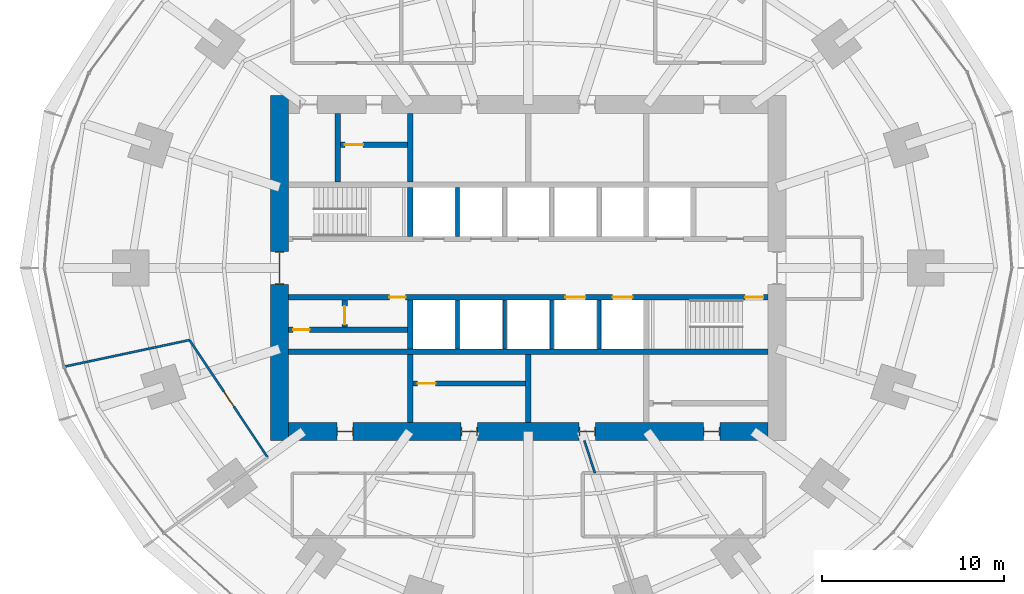
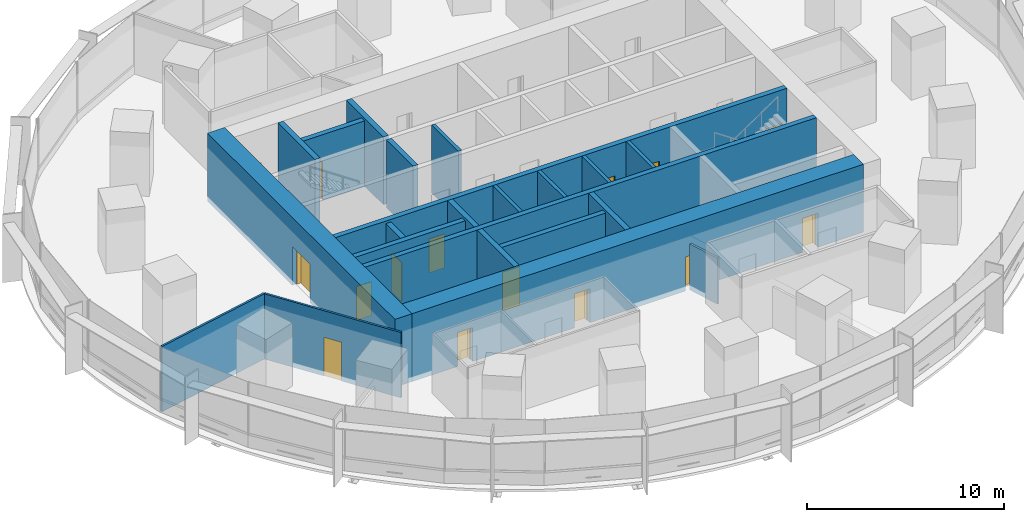
# One storey, part 11 of 15: 22 walls, 14 doors, 14 openings.
"""IFC4 building model written with IfcOpenShell, lengths in metres."""

from ifc_helpers import new_model, si_unit, direction, frame, frame_2d, origin, place, context, subcontext, project, spatial, rectangle, extrude, material, layer, layer_set, type_object, element, fill, save


model = new_model("IFC4")

# Units and contexts
model_context = context("Model", 3, precision=1e-05, world=origin(), true_north=direction((0.0, 1.0)))
body_context = subcontext(model_context, "Body", "Model", "MODEL_VIEW")
ifc_project = project(units=[si_unit("LENGTHUNIT", "METRE"), si_unit("AREAUNIT", "SQUARE_METRE"), si_unit("VOLUMEUNIT", "CUBIC_METRE"), si_unit("PLANEANGLEUNIT", "RADIAN"), si_unit("MASSUNIT", "GRAM", prefix="KILO")], contexts=[model_context])

# Site, building, storey
site_placement = place(None, origin())
site = spatial("IfcSite", under=ifc_project, at=site_placement, CompositionType="ELEMENT")
building_placement = place(site_placement, origin())
building = spatial("IfcBuilding", under=site, at=building_placement, Name="Marramba Exchange Tower", CompositionType="ELEMENT")
storey_placement = place(building_placement, frame((0.0, 0.0, 28.0)))
storey = spatial("IfcBuildingStorey", under=building, at=storey_placement, Name="L06", CompositionType="ELEMENT", Elevation=28.0)

# Walls
ifc_material_1 = material(Name="Concrete N50", Category="concrete")
ifc_layer_1 = layer(ifc_material_1, 0.199951171875)
ifc_layer_set_1 = layer_set([ifc_layer_1], Name="Core shaft wall 200")
wall_type_1 = type_object("IfcWallType", Name="Core shaft wall 200", PredefinedType="SHEAR", material=ifc_layer_set_1)
for number, where, z_axis, x_axis, name in (
    (1, (-3.89990234375, 1.75, 0.0), (0.0, 0.0, 1.0), (0.0, 1.0, 0.0), "Core wall SHN1 L06"),
    (2, (-3.89990234375, -1.75, 0.0), (0.0, 0.0, 1.0), (0.0, -1.0, 0.0), "Core wall SHS1 L06"),
    (3, (-1.300048828125, -1.75, 0.0), (0.0, 0.0, 1.0), (0.0, -1.0, 0.0), "Core wall SHS2 L06"),
    (4, (1.300048828125, -1.75, 0.0), (0.0, 0.0, 1.0), (0.0, -1.0, 0.0), "Core wall SHS3 L06"),
    (5, (3.89990234375, -1.75, 0.0), (0.0, 0.0, 1.0), (0.0, -1.0, 0.0), "Core wall SHS4 L06"),
):
    element("IfcWall", number, at=place(storey_placement, frame(where, z_axis=z_axis, x_axis=x_axis)), inside=storey, type_object=wall_type_1, Name=name, PredefinedType="SHEAR", context=body_context, shape_type="SweptSolid", body=[
        extrude(rectangle(XDim=2.699951171875, YDim=0.199951171875, at=frame_2d((1.35009765625, 0.0))), origin(), (0.0, 0.0, 1.0), 4.199951171875),
    ])

# Wall, openings, doors
ifc_layer_2 = layer(ifc_material_1, 1.0)
ifc_layer_set_2 = layer_set([ifc_layer_2], Name="Core wall 1000")
wall_type_2 = type_object("IfcWallType", Name="Core wall 1000", PredefinedType="SHEAR", material=ifc_layer_set_2)
wall_1_placement = place(storey_placement, frame((-13.199951171875, -9.0, 0.0), z_axis=(0.0, 0.0, 1.0), x_axis=(1.0, 0.0, 0.0)))
wall_1 = element("IfcWall", 6, at=wall_1_placement, inside=storey, type_object=wall_type_2, Name="Core wall S L06", PredefinedType="SHEAR", context=body_context, shape_type="SweptSolid", body=[
    extrude(rectangle(XDim=26.39990234375, YDim=1.0, at=frame_2d((13.199951171875, 0.0))), origin(), (0.0, 0.0, 1.0), 4.199951171875),
])
opening_1_placement = place(wall_1_placement, frame((2.64990234375, 0.0, 0.0)))
opening_1 = element("IfcOpeningElement", 7, at=opening_1_placement, cuts=wall_1, Name="Opening D5", PredefinedType="OPENING", context=body_context, shape_type="SweptSolid", body=[
    extrude(rectangle(XDim=0.89990234375, YDim=2.10009765625, at=frame_2d((0.449951171875, 1.050048828125))), frame((0.0, 0.510009765625, 0.0), z_axis=(0.0, -1.0, 0.0), x_axis=(1.0, 0.0, 0.0)), (0.0, 0.0, 1.0), 1.02001953125),
])
opening_2_placement = place(wall_1_placement, frame((9.5, 0.0, 0.0)))
opening_2 = element("IfcOpeningElement", 8, at=opening_2_placement, cuts=wall_1, Name="Opening D5", PredefinedType="OPENING", context=body_context, shape_type="SweptSolid", body=[
    extrude(rectangle(XDim=0.89990234375, YDim=2.10009765625, at=frame_2d((0.449951171875, 1.050048828125))), frame((0.0, 0.510009765625, 0.0), z_axis=(0.0, -1.0, 0.0), x_axis=(1.0, 0.0, 0.0)), (0.0, 0.0, 1.0), 1.02001953125),
])
opening_3_placement = place(wall_1_placement, frame((16.0, 0.0, 0.0)))
opening_3 = element("IfcOpeningElement", 9, at=opening_3_placement, cuts=wall_1, Name="Opening D5", PredefinedType="OPENING", context=body_context, shape_type="SweptSolid", body=[
    extrude(rectangle(XDim=0.89990234375, YDim=2.10009765625, at=frame_2d((0.449951171875, 1.050048828125))), frame((0.0, 0.510009765625, 0.0), z_axis=(0.0, -1.0, 0.0), x_axis=(1.0, 0.0, 0.0)), (0.0, 0.0, 1.0), 1.02001953125),
])
opening_4_placement = place(wall_1_placement, frame((22.85009765625, 0.0, 0.0)))
opening_4 = element("IfcOpeningElement", 10, at=opening_4_placement, cuts=wall_1, Name="Opening D5", PredefinedType="OPENING", context=body_context, shape_type="SweptSolid", body=[
    extrude(rectangle(XDim=0.89990234375, YDim=2.10009765625, at=frame_2d((0.449951171875, 1.050048828125))), frame((0.0, 0.510009765625, 0.0), z_axis=(0.0, -1.0, 0.0), x_axis=(1.0, 0.0, 0.0)), (0.0, 0.0, 1.0), 1.02001953125),
])
ifc_material_2 = material(Name="Steel-framed door", Category="steel")
door_type_1 = type_object("IfcDoorType", Name="Service door 900x2100", OperationType="SINGLE_SWING_LEFT", PredefinedType="DOOR", material=ifc_material_2)
door_1_placement = place(opening_1_placement, origin())
door_1 = element("IfcDoor", 11, at=door_1_placement, inside=storey, type_object=door_type_1, Name="D5 ahu L06", OperationType="SINGLE_SWING_LEFT", OverallHeight=2.10009765625, OverallWidth=0.89990234375, PredefinedType="DOOR", context=body_context, shape_type="SweptSolid", body=[
    extrude(rectangle(XDim=0.81982421875, YDim=2.06005859375, at=frame_2d((0.449951171875, 1.030029296875))), frame((0.0, 0.02490234375, 0.0), z_axis=(0.0, -1.0, 0.0), x_axis=(1.0, 0.0, 0.0)), (0.0, 0.0, 1.0), 0.050048828125),
    extrude(rectangle(XDim=0.04, YDim=2.10009765625, at=frame_2d((0.02001953125, 1.050048828125))), frame((0.0, 0.25, 0.0), z_axis=(0.0, -1.0, 0.0), x_axis=(1.0, 0.0, 0.0)), (0.0, 0.0, 1.0), 0.5),
    extrude(rectangle(XDim=0.04, YDim=2.10009765625, at=frame_2d((0.8798828125, 1.050048828125))), frame((0.0, 0.25, 0.0), z_axis=(0.0, -1.0, 0.0), x_axis=(1.0, 0.0, 0.0)), (0.0, 0.0, 1.0), 0.5),
    extrude(rectangle(XDim=0.81982421875, YDim=0.04, at=frame_2d((0.449951171875, 2.080078125))), frame((0.0, 0.25, 0.0), z_axis=(0.0, -1.0, 0.0), x_axis=(1.0, 0.0, 0.0)), (0.0, 0.0, 1.0), 0.5),
])
fill(opening_1, door_1)
door_2_placement = place(opening_2_placement, origin())
door_2 = element("IfcDoor", 12, at=door_2_placement, inside=storey, type_object=door_type_1, Name="D5 store L06", OperationType="SINGLE_SWING_RIGHT", OverallHeight=2.10009765625, OverallWidth=0.89990234375, PredefinedType="DOOR", context=body_context, shape_type="SweptSolid", body=[
    extrude(rectangle(XDim=0.81982421875, YDim=2.06005859375, at=frame_2d((0.449951171875, 1.030029296875))), frame((0.0, 0.02490234375, 0.0), z_axis=(0.0, -1.0, 0.0), x_axis=(1.0, 0.0, 0.0)), (0.0, 0.0, 1.0), 0.050048828125),
    extrude(rectangle(XDim=0.04, YDim=2.10009765625, at=frame_2d((0.02001953125, 1.050048828125))), frame((0.0, 0.25, 0.0), z_axis=(0.0, -1.0, 0.0), x_axis=(1.0, 0.0, 0.0)), (0.0, 0.0, 1.0), 0.5),
    extrude(rectangle(XDim=0.04, YDim=2.10009765625, at=frame_2d((0.8798828125, 1.050048828125))), frame((0.0, 0.25, 0.0), z_axis=(0.0, -1.0, 0.0), x_axis=(1.0, 0.0, 0.0)), (0.0, 0.0, 1.0), 0.5),
    extrude(rectangle(XDim=0.81982421875, YDim=0.04, at=frame_2d((0.449951171875, 2.080078125))), frame((0.0, 0.25, 0.0), z_axis=(0.0, -1.0, 0.0), x_axis=(1.0, 0.0, 0.0)), (0.0, 0.0, 1.0), 0.5),
])
fill(opening_2, door_2)
door_3_placement = place(opening_3_placement, origin())
door_3 = element("IfcDoor", 13, at=door_3_placement, inside=storey, type_object=door_type_1, Name="D5 switch L06", OperationType="SINGLE_SWING_RIGHT", OverallHeight=2.10009765625, OverallWidth=0.89990234375, PredefinedType="DOOR", context=body_context, shape_type="SweptSolid", body=[
    extrude(rectangle(XDim=0.81982421875, YDim=2.06005859375, at=frame_2d((0.449951171875, 1.030029296875))), frame((0.0, 0.02490234375, 0.0), z_axis=(0.0, -1.0, 0.0), x_axis=(1.0, 0.0, 0.0)), (0.0, 0.0, 1.0), 0.050048828125),
    extrude(rectangle(XDim=0.04, YDim=2.10009765625, at=frame_2d((0.02001953125, 1.050048828125))), frame((0.0, 0.25, 0.0), z_axis=(0.0, -1.0, 0.0), x_axis=(1.0, 0.0, 0.0)), (0.0, 0.0, 1.0), 0.5),
    extrude(rectangle(XDim=0.04, YDim=2.10009765625, at=frame_2d((0.8798828125, 1.050048828125))), frame((0.0, 0.25, 0.0), z_axis=(0.0, -1.0, 0.0), x_axis=(1.0, 0.0, 0.0)), (0.0, 0.0, 1.0), 0.5),
    extrude(rectangle(XDim=0.81982421875, YDim=0.04, at=frame_2d((0.449951171875, 2.080078125))), frame((0.0, 0.25, 0.0), z_axis=(0.0, -1.0, 0.0), x_axis=(1.0, 0.0, 0.0)), (0.0, 0.0, 1.0), 0.5),
])
fill(opening_3, door_3)
door_4_placement = place(opening_4_placement, origin())
door_4 = element("IfcDoor", 14, at=door_4_placement, inside=storey, type_object=door_type_1, Name="D5 cstore L06", OperationType="SINGLE_SWING_RIGHT", OverallHeight=2.10009765625, OverallWidth=0.89990234375, PredefinedType="DOOR", context=body_context, shape_type="SweptSolid", body=[
    extrude(rectangle(XDim=0.81982421875, YDim=2.06005859375, at=frame_2d((0.449951171875, 1.030029296875))), frame((0.0, 0.02490234375, 0.0), z_axis=(0.0, -1.0, 0.0), x_axis=(1.0, 0.0, 0.0)), (0.0, 0.0, 1.0), 0.050048828125),
    extrude(rectangle(XDim=0.04, YDim=2.10009765625, at=frame_2d((0.02001953125, 1.050048828125))), frame((0.0, 0.25, 0.0), z_axis=(0.0, -1.0, 0.0), x_axis=(1.0, 0.0, 0.0)), (0.0, 0.0, 1.0), 0.5),
    extrude(rectangle(XDim=0.04, YDim=2.10009765625, at=frame_2d((0.8798828125, 1.050048828125))), frame((0.0, 0.25, 0.0), z_axis=(0.0, -1.0, 0.0), x_axis=(1.0, 0.0, 0.0)), (0.0, 0.0, 1.0), 0.5),
    extrude(rectangle(XDim=0.81982421875, YDim=0.04, at=frame_2d((0.449951171875, 2.080078125))), frame((0.0, 0.25, 0.0), z_axis=(0.0, -1.0, 0.0), x_axis=(1.0, 0.0, 0.0)), (0.0, 0.0, 1.0), 0.5),
])
fill(opening_4, door_4)

# Wall, opening, door
wall_2_placement = place(storey_placement, frame((-13.699951171875, 9.5, 0.0), z_axis=(0.0, 0.0, 1.0), x_axis=(0.0, -1.0, 0.0)))
wall_2 = element("IfcWall", 15, at=wall_2_placement, inside=storey, type_object=wall_type_2, Name="Core wall W L06", PredefinedType="SHEAR", context=body_context, shape_type="SweptSolid", body=[
    extrude(rectangle(XDim=19.0, YDim=1.0, at=frame_2d((9.5, 0.0))), origin(), (0.0, 0.0, 1.0), 4.199951171875),
])
opening_5_placement = place(wall_2_placement, frame((8.60009765625, 0.0, 0.0)))
opening_5 = element("IfcOpeningElement", 16, at=opening_5_placement, cuts=wall_2, Name="Opening D1", PredefinedType="OPENING", context=body_context, shape_type="SweptSolid", body=[
    extrude(rectangle(XDim=1.800048828125, YDim=2.39990234375, at=frame_2d((0.89990234375, 1.199951171875))), frame((0.0, 0.510009765625, 0.0), z_axis=(0.0, -1.0, 0.0), x_axis=(1.0, 0.0, 0.0)), (0.0, 0.0, 1.0), 1.02001953125),
])
door_type_2 = type_object("IfcDoorType", Name="Lobby exit door 1800x2400", OperationType="DOUBLE_DOOR_SINGLE_SWING", PredefinedType="DOOR", material=ifc_material_2)
door_5_placement = place(opening_5_placement, origin())
door_5 = element("IfcDoor", 17, at=door_5_placement, inside=storey, type_object=door_type_2, Name="D1 lobby exit west L06", OperationType="DOUBLE_DOOR_SINGLE_SWING", OverallHeight=2.39990234375, OverallWidth=1.800048828125, PredefinedType="DOOR", context=body_context, shape_type="SweptSolid", body=[
    extrude(rectangle(XDim=1.719970703125, YDim=2.35986328125, at=frame_2d((0.89990234375, 1.179931640625))), frame((0.0, 0.02490234375, 0.0), z_axis=(0.0, -1.0, 0.0), x_axis=(1.0, 0.0, 0.0)), (0.0, 0.0, 1.0), 0.050048828125),
    extrude(rectangle(XDim=0.04, YDim=2.39990234375, at=frame_2d((0.02001953125, 1.199951171875))), frame((0.0, 0.25, 0.0), z_axis=(0.0, -1.0, 0.0), x_axis=(1.0, 0.0, 0.0)), (0.0, 0.0, 1.0), 0.5),
    extrude(rectangle(XDim=0.04, YDim=2.39990234375, at=frame_2d((1.780029296875, 1.199951171875))), frame((0.0, 0.25, 0.0), z_axis=(0.0, -1.0, 0.0), x_axis=(1.0, 0.0, 0.0)), (0.0, 0.0, 1.0), 0.5),
    extrude(rectangle(XDim=1.719970703125, YDim=0.04, at=frame_2d((0.89990234375, 2.3798828125))), frame((0.0, 0.25, 0.0), z_axis=(0.0, -1.0, 0.0), x_axis=(1.0, 0.0, 0.0)), (0.0, 0.0, 1.0), 0.5),
])
fill(opening_5, door_5)

# Wall, openings, doors
ifc_layer_3 = layer(ifc_material_1, 0.300048828125)
ifc_layer_set_3 = layer_set([ifc_layer_3], Name="Core wall 300")
wall_type_3 = type_object("IfcWallType", Name="Core wall 300", PredefinedType="SHEAR", material=ifc_layer_set_3)
wall_3_placement = place(storey_placement, frame((-13.199951171875, -1.60009765625, 0.0), z_axis=(0.0, 0.0, 1.0), x_axis=(1.0, 0.0, 0.0)))
wall_3 = element("IfcWall", 18, at=wall_3_placement, inside=storey, type_object=wall_type_3, Name="Core wall LS L06", PredefinedType="SHEAR", context=body_context, shape_type="SweptSolid", body=[
    extrude(rectangle(XDim=26.39990234375, YDim=0.300048828125, at=frame_2d((13.199951171875, 0.0))), origin(), (0.0, 0.0, 1.0), 4.199951171875),
])
opening_6_placement = place(wall_3_placement, frame((25.14990234375, 0.0, 0.0)))
opening_6 = element("IfcOpeningElement", 19, at=opening_6_placement, cuts=wall_3, Name="Opening D2", PredefinedType="OPENING", context=body_context, shape_type="SweptSolid", body=[
    extrude(rectangle(XDim=1.0, YDim=2.10009765625, at=frame_2d((0.5, 1.050048828125))), frame((0.0, 0.159912109375, 0.0), z_axis=(0.0, -1.0, 0.0), x_axis=(1.0, 0.0, 0.0)), (0.0, 0.0, 1.0), 0.320068359375),
])
opening_7_placement = place(wall_3_placement, frame((15.25, 0.0, 0.0)))
opening_7 = element("IfcOpeningElement", 20, at=opening_7_placement, cuts=wall_3, Name="Opening LD2", PredefinedType="OPENING", context=body_context, shape_type="SweptSolid", body=[
    extrude(rectangle(XDim=1.10009765625, YDim=2.300048828125, at=frame_2d((0.550048828125, 1.14990234375))), frame((0.0, 0.159912109375, 0.0), z_axis=(0.0, -1.0, 0.0), x_axis=(1.0, 0.0, 0.0)), (0.0, 0.0, 1.0), 0.320068359375),
])
opening_8_placement = place(wall_3_placement, frame((17.85009765625, 0.0, 0.0)))
opening_8 = element("IfcOpeningElement", 21, at=opening_8_placement, cuts=wall_3, Name="Opening LD2", PredefinedType="OPENING", context=body_context, shape_type="SweptSolid", body=[
    extrude(rectangle(XDim=1.10009765625, YDim=2.300048828125, at=frame_2d((0.550048828125, 1.14990234375))), frame((0.0, 0.159912109375, 0.0), z_axis=(0.0, -1.0, 0.0), x_axis=(1.0, 0.0, 0.0)), (0.0, 0.0, 1.0), 0.320068359375),
])
opening_9_placement = place(wall_3_placement, frame((5.550048828125, 0.0, 0.0)))
opening_9 = element("IfcOpeningElement", 22, at=opening_9_placement, cuts=wall_3, Name="Opening D5", PredefinedType="OPENING", context=body_context, shape_type="SweptSolid", body=[
    extrude(rectangle(XDim=0.89990234375, YDim=2.10009765625, at=frame_2d((0.449951171875, 1.050048828125))), frame((0.0, 0.159912109375, 0.0), z_axis=(0.0, -1.0, 0.0), x_axis=(1.0, 0.0, 0.0)), (0.0, 0.0, 1.0), 0.320068359375),
])
door_type_3 = type_object("IfcDoorType", Name="Emergency lift landing door 1100x2300", OperationType="SLIDING_TO_LEFT", PredefinedType="DOOR", material=ifc_material_2)
door_6_placement = place(opening_7_placement, frame((1.10009765625, 0.0, 0.0), z_axis=(0.0, 0.0, 1.0), x_axis=(-1.0, 0.0, 0.0)))
door_6 = element("IfcDoor", 23, at=door_6_placement, inside=storey, type_object=door_type_3, Name="FL1 landing door L06", OperationType="SLIDING_TO_RIGHT", OverallHeight=2.300048828125, OverallWidth=1.10009765625, PredefinedType="DOOR", context=body_context, shape_type="SweptSolid", body=[
    extrude(rectangle(XDim=1.10009765625, YDim=2.300048828125, at=frame_2d((0.550048828125, 1.14990234375))), frame((0.0, 0.025146484375, 0.0), z_axis=(0.0, -1.0, 0.0), x_axis=(1.0, 0.0, 0.0)), (0.0, 0.0, 1.0), 0.050048828125),
])
fill(opening_7, door_6)
door_7_placement = place(opening_8_placement, frame((1.10009765625, 0.0, 0.0), z_axis=(0.0, 0.0, 1.0), x_axis=(-1.0, 0.0, 0.0)))
door_7 = element("IfcDoor", 24, at=door_7_placement, inside=storey, type_object=door_type_3, Name="FL2 landing door L06", OperationType="SLIDING_TO_LEFT", OverallHeight=2.300048828125, OverallWidth=1.10009765625, PredefinedType="DOOR", context=body_context, shape_type="SweptSolid", body=[
    extrude(rectangle(XDim=1.10009765625, YDim=2.300048828125, at=frame_2d((0.550048828125, 1.14990234375))), frame((0.0, 0.025146484375, 0.0), z_axis=(0.0, -1.0, 0.0), x_axis=(1.0, 0.0, 0.0)), (0.0, 0.0, 1.0), 0.050048828125),
])
fill(opening_8, door_7)
door_8_placement = place(opening_9_placement, frame((0.89990234375, 0.0, 0.0), z_axis=(0.0, 0.0, 1.0), x_axis=(-1.0, 0.0, 0.0)))
door_8 = element("IfcDoor", 25, at=door_8_placement, inside=storey, type_object=door_type_1, Name="D5 electrical riser L06", OperationType="SINGLE_SWING_LEFT", OverallHeight=2.10009765625, OverallWidth=0.89990234375, PredefinedType="DOOR", context=body_context, shape_type="SweptSolid", body=[
    extrude(rectangle(XDim=0.89990234375, YDim=2.10009765625, at=frame_2d((0.449951171875, 1.050048828125))), frame((0.0, 0.025146484375, 0.0), z_axis=(0.0, -1.0, 0.0), x_axis=(1.0, 0.0, 0.0)), (0.0, 0.0, 1.0), 0.050048828125),
])
fill(opening_9, door_8)
door_type_4 = type_object("IfcDoorType", Name="Stair door 1000x2100", OperationType="SINGLE_SWING_LEFT", PredefinedType="DOOR", material=ifc_material_2)
door_9_placement = place(opening_6_placement, frame((1.0, 0.0, 0.0), z_axis=(0.0, 0.0, 1.0), x_axis=(-1.0, 0.0, 0.0)))
door_9 = element("IfcDoor", 26, at=door_9_placement, inside=storey, type_object=door_type_4, Name="D2 stair ST2 L06", OperationType="SINGLE_SWING_LEFT", OverallHeight=2.10009765625, OverallWidth=1.0, PredefinedType="DOOR", context=body_context, shape_type="SweptSolid", body=[
    extrude(rectangle(XDim=1.0, YDim=2.10009765625, at=frame_2d((0.5, 1.050048828125))), frame((0.0, 0.025146484375, 0.0), z_axis=(0.0, -1.0, 0.0), x_axis=(1.0, 0.0, 0.0)), (0.0, 0.0, 1.0), 0.050048828125),
])
fill(opening_6, door_9)

# Walls
wall_4_placement = place(storey_placement, frame((-13.199951171875, -4.60009765625, 0.0), z_axis=(0.0, 0.0, 1.0), x_axis=(1.0, 0.0, 0.0)))
element("IfcWall", 27, at=wall_4_placement, inside=storey, type_object=wall_type_3, Name="Core wall BS L06", PredefinedType="SHEAR", context=body_context, shape_type="SweptSolid", body=[
    extrude(rectangle(XDim=26.39990234375, YDim=0.300048828125, at=frame_2d((13.199951171875, 0.0))), origin(), (0.0, 0.0, 1.0), 4.199951171875),
])
wall_5_placement = place(storey_placement, frame((-6.5, 1.75, 0.0), z_axis=(0.0, 0.0, 1.0), x_axis=(0.0, 1.0, 0.0)))
element("IfcWall", 28, at=wall_5_placement, inside=storey, type_object=wall_type_3, Name="Core wall X0Na L06", PredefinedType="SHEAR", context=body_context, shape_type="SweptSolid", body=[
    extrude(rectangle(XDim=2.699951171875, YDim=0.300048828125, at=frame_2d((1.35009765625, 0.0))), origin(), (0.0, 0.0, 1.0), 4.199951171875),
])
wall_6_placement = place(storey_placement, frame((-6.5, 4.75, 0.0), z_axis=(0.0, 0.0, 1.0), x_axis=(0.0, 1.0, 0.0)))
element("IfcWall", 29, at=wall_6_placement, inside=storey, type_object=wall_type_3, Name="Core wall X0Nb L06", PredefinedType="SHEAR", context=body_context, shape_type="SweptSolid", body=[
    extrude(rectangle(XDim=3.75, YDim=0.300048828125, at=frame_2d((1.875, 0.0))), origin(), (0.0, 0.0, 1.0), 4.199951171875),
])
wall_7_placement = place(storey_placement, frame((-6.5, -1.75, 0.0), z_axis=(0.0, 0.0, 1.0), x_axis=(0.0, -1.0, 0.0)))
element("IfcWall", 30, at=wall_7_placement, inside=storey, type_object=wall_type_3, Name="Core wall X0Sa L06", PredefinedType="SHEAR", context=body_context, shape_type="SweptSolid", body=[
    extrude(rectangle(XDim=2.699951171875, YDim=0.300048828125, at=frame_2d((1.35009765625, 0.0))), origin(), (0.0, 0.0, 1.0), 4.199951171875),
])
for number, where, z_axis, x_axis, name in (
    (31, (-6.5, -4.75, 0.0), (0.0, 0.0, 1.0), (0.0, -1.0, 0.0), "Core wall X0Sb L06"),
    (32, (0.0, -4.75, 0.0), (0.0, 0.0, 1.0), (0.0, -1.0, 0.0), "Core wall MS L06"),
    (33, (-10.5, 4.75, 0.0), (0.0, 0.0, 1.0), (0.0, 1.0, 0.0), "Core wall WD L06"),
):
    element("IfcWall", number, at=place(storey_placement, frame(where, z_axis=z_axis, x_axis=x_axis)), inside=storey, type_object=wall_type_3, Name=name, PredefinedType="SHEAR", context=body_context, shape_type="SweptSolid", body=[
        extrude(rectangle(XDim=3.75, YDim=0.300048828125, at=frame_2d((1.875, 0.0))), origin(), (0.0, 0.0, 1.0), 4.199951171875),
    ])
ifc_material_3 = material(Name="Plasterboard on steel studs", Category="steel")
ifc_layer_4 = layer(ifc_material_3, 0.1201171875)
ifc_layer_set_4 = layer_set([ifc_layer_4], Name="Partition 120")
wall_type_4 = type_object("IfcWallType", Name="Partition 120", PredefinedType="PARTITIONING", material=ifc_layer_set_4)
wall_8_placement = place(storey_placement, frame((-18.659423828125, -3.96630859375, 0.0), z_axis=(0.0, 0.0, 1.0), x_axis=(-0.978148655968, -0.207906726269, 0.0)))
element("IfcWall", 34, at=wall_8_placement, inside=storey, type_object=wall_type_4, Name="Partition L06 01", PredefinedType="PARTITIONING", context=body_context, shape_type="SweptSolid", body=[
    extrude(rectangle(XDim=7.0, YDim=0.1201171875, at=frame_2d((3.5, 0.0))), origin(), (0.0, 0.0, 1.0), 4.0400390625),
])

# Wall, opening, door
wall_9_placement = place(storey_placement, frame((-14.357666015625, -10.431396484375, 0.0), z_axis=(0.0, 0.0, 1.0), x_axis=(-0.553959944771, 0.832543319948, 0.0)))
wall_9 = element("IfcWall", 35, at=wall_9_placement, inside=storey, type_object=wall_type_4, Name="Partition L06 02", PredefinedType="PARTITIONING", context=body_context, shape_type="SweptSolid", body=[
    extrude(rectangle(XDim=7.765380859375, YDim=0.1201171875, at=frame_2d((3.8828125, 0.0))), origin(), (0.0, 0.0, 1.0), 4.0400390625),
])
opening_10_placement = place(wall_9_placement, frame((3.35791015625, 0.0, 0.0)))
opening_10 = element("IfcOpeningElement", 36, at=opening_10_placement, cuts=wall_9, Name="Opening D9", PredefinedType="OPENING", context=body_context, shape_type="SweptSolid", body=[
    extrude(rectangle(XDim=1.0, YDim=2.39990234375, at=frame_2d((0.5, 1.199951171875))), frame((0.0, 0.070068359375, 0.0), z_axis=(0.0, -1.0, 0.0), x_axis=(1.0, 0.0, 0.0)), (0.0, 0.0, 1.0), 0.14013671875),
])
ifc_material_4 = material(Name="Timber door", Category="wood")
door_type_5 = type_object("IfcDoorType", Name="Room door 1000x2400", OperationType="SINGLE_SWING_LEFT", PredefinedType="DOOR", material=ifc_material_4)
door_10_placement = place(opening_10_placement, origin())
door_10 = element("IfcDoor", 37, at=door_10_placement, inside=storey, type_object=door_type_5, Name="D9 Head of Desk Office L06", OperationType="SINGLE_SWING_LEFT", OverallHeight=2.39990234375, OverallWidth=1.0, PredefinedType="DOOR", context=body_context, shape_type="SweptSolid", body=[
    extrude(rectangle(XDim=1.0, YDim=2.39990234375, at=frame_2d((0.5, 1.199951171875))), frame((0.0, 0.02490234375, 0.0), z_axis=(0.0, -1.0, 0.0), x_axis=(1.0, 0.0, 0.0)), (0.0, 0.0, 1.0), 0.050048828125),
])
fill(opening_10, door_10)

# Wall
wall_10_placement = place(storey_placement, frame((3.671630859375, -11.300048828125, 0.0), z_axis=(0.0, 0.0, 1.0), x_axis=(-0.309059822154, 0.95104259964, 0.0)))
element("IfcWall", 38, at=wall_10_placement, inside=storey, type_object=wall_type_4, Name="Partition L06 10", PredefinedType="PARTITIONING", context=body_context, shape_type="SweptSolid", body=[
    extrude(rectangle(XDim=1.892822265625, YDim=0.1201171875, at=frame_2d((0.9462890625, 0.0))), origin(), (0.0, 0.0, 1.0), 2.840087890625),
])

# Wall, opening, door
ifc_material_5 = material(Name="Core-filled concrete blockwork", Category="masonry")
ifc_layer_5 = layer(ifc_material_5, 0.300048828125)
ifc_layer_set_5 = layer_set([ifc_layer_5], Name="Riser enclosure wall 300")
wall_type_5 = type_object("IfcWallType", Name="Riser enclosure wall 300", PredefinedType="SOLIDWALL", material=ifc_layer_set_5)
wall_11_placement = place(storey_placement, frame((-13.199951171875, -3.39990234375, 0.0), z_axis=(0.0, 0.0, 1.0), x_axis=(1.0, 0.0, 0.0)))
wall_11 = element("IfcWall", 39, at=wall_11_placement, inside=storey, type_object=wall_type_5, Name="Riser enclosure wall L06", PredefinedType="SOLIDWALL", context=body_context, shape_type="SweptSolid", body=[
    extrude(rectangle(XDim=6.550048828125, YDim=0.300048828125, at=frame_2d((3.27490234375, 0.0))), origin(), (0.0, 0.0, 1.0), 4.0400390625),
])
opening_11_placement = place(wall_11_placement, frame((0.25, 0.0, 0.0)))
opening_11 = element("IfcOpeningElement", 40, at=opening_11_placement, cuts=wall_11, Name="Opening D5", PredefinedType="OPENING", context=body_context, shape_type="SweptSolid", body=[
    extrude(rectangle(XDim=0.89990234375, YDim=2.10009765625, at=frame_2d((0.449951171875, 1.050048828125))), frame((0.0, 0.159912109375, 0.0), z_axis=(0.0, -1.0, 0.0), x_axis=(1.0, 0.0, 0.0)), (0.0, 0.0, 1.0), 0.320068359375),
])
door_11_placement = place(opening_11_placement, origin())
door_11 = element("IfcDoor", 41, at=door_11_placement, inside=storey, type_object=door_type_1, Name="D5 electrical riser back L06", OperationType="SINGLE_SWING_LEFT", OverallHeight=2.10009765625, OverallWidth=0.89990234375, PredefinedType="DOOR", context=body_context, shape_type="SweptSolid", body=[
    extrude(rectangle(XDim=0.89990234375, YDim=2.10009765625, at=frame_2d((0.449951171875, 1.050048828125))), frame((0.0, 0.02490234375, 0.0), z_axis=(0.0, -1.0, 0.0), x_axis=(1.0, 0.0, 0.0)), (0.0, 0.0, 1.0), 0.050048828125),
])
fill(opening_11, door_11)

ifc_material_6 = material(Name="Plasterboard on steel studs, insulated, unrated", Category="steel")
ifc_layer_6 = layer(ifc_material_6, 0.300048828125)
ifc_layer_set_6 = layer_set([ifc_layer_6], Name="Store partition 300")
wall_type_6 = type_object("IfcWallType", Name="Store partition 300", PredefinedType="PARTITIONING", material=ifc_layer_set_6)
wall_12_placement = place(storey_placement, frame((-10.35009765625, 6.800048828125, 0.0), z_axis=(0.0, 0.0, 1.0), x_axis=(1.0, 0.0, 0.0)))
wall_12 = element("IfcWall", 42, at=wall_12_placement, inside=storey, type_object=wall_type_6, Name="Store partition L06 cleaner", PredefinedType="PARTITIONING", context=body_context, shape_type="SweptSolid", body=[
    extrude(rectangle(XDim=3.7001953125, YDim=0.300048828125, at=frame_2d((1.85009765625, 0.0))), origin(), (0.0, 0.0, 1.0), 4.0400390625),
])
opening_12_placement = place(wall_12_placement, frame((0.25, 0.0, 0.0)))
opening_12 = element("IfcOpeningElement", 43, at=opening_12_placement, cuts=wall_12, Name="Opening D9", PredefinedType="OPENING", context=body_context, shape_type="SweptSolid", body=[
    extrude(rectangle(XDim=1.0, YDim=2.39990234375, at=frame_2d((0.5, 1.199951171875))), frame((0.0, 0.159912109375, 0.0), z_axis=(0.0, -1.0, 0.0), x_axis=(1.0, 0.0, 0.0)), (0.0, 0.0, 1.0), 0.320068359375),
])
door_12_placement = place(opening_12_placement, origin())
door_12 = element("IfcDoor", 44, at=door_12_placement, inside=storey, type_object=door_type_5, Name="D9 cleaning store L06", OperationType="SINGLE_SWING_LEFT", OverallHeight=2.39990234375, OverallWidth=1.0, PredefinedType="DOOR", context=body_context, shape_type="SweptSolid", body=[
    extrude(rectangle(XDim=1.0, YDim=2.39990234375, at=frame_2d((0.5, 1.199951171875))), frame((0.0, 0.02490234375, 0.0), z_axis=(0.0, -1.0, 0.0), x_axis=(1.0, 0.0, 0.0)), (0.0, 0.0, 1.0), 0.050048828125),
])
fill(opening_12, door_12)

wall_13_placement = place(storey_placement, frame((-6.35009765625, -6.360107421875, 0.0), z_axis=(0.0, 0.0, 1.0), x_axis=(1.0, 0.0, 0.0)))
wall_13 = element("IfcWall", 45, at=wall_13_placement, inside=storey, type_object=wall_type_6, Name="Store partition L06 store", PredefinedType="PARTITIONING", context=body_context, shape_type="SweptSolid", body=[
    extrude(rectangle(XDim=6.2001953125, YDim=0.300048828125, at=frame_2d((3.10009765625, 0.0))), origin(), (0.0, 0.0, 1.0), 4.0400390625),
])
opening_13_placement = place(wall_13_placement, frame((0.25, 0.0, 0.0)))
opening_13 = element("IfcOpeningElement", 46, at=opening_13_placement, cuts=wall_13, Name="Opening D9", PredefinedType="OPENING", context=body_context, shape_type="SweptSolid", body=[
    extrude(rectangle(XDim=1.0, YDim=2.39990234375, at=frame_2d((0.5, 1.199951171875))), frame((0.0, 0.159912109375, 0.0), z_axis=(0.0, -1.0, 0.0), x_axis=(1.0, 0.0, 0.0)), (0.0, 0.0, 1.0), 0.320068359375),
])
door_13_placement = place(opening_13_placement, origin())
door_13 = element("IfcDoor", 47, at=door_13_placement, inside=storey, type_object=door_type_5, Name="D9 stationery store L06", OperationType="SINGLE_SWING_LEFT", OverallHeight=2.39990234375, OverallWidth=1.0, PredefinedType="DOOR", context=body_context, shape_type="SweptSolid", body=[
    extrude(rectangle(XDim=1.0, YDim=2.39990234375, at=frame_2d((0.5, 1.199951171875))), frame((0.0, 0.02490234375, 0.0), z_axis=(0.0, -1.0, 0.0), x_axis=(1.0, 0.0, 0.0)), (0.0, 0.0, 1.0), 0.050048828125),
])
fill(opening_13, door_13)

wall_14_placement = place(storey_placement, frame((-10.10009765625, -3.25, 0.0), z_axis=(0.0, 0.0, 1.0), x_axis=(0.0, 1.0, 0.0)))
wall_14 = element("IfcWall", 48, at=wall_14_placement, inside=storey, type_object=wall_type_6, Name="Store partition L06 tool store", PredefinedType="PARTITIONING", context=body_context, shape_type="SweptSolid", body=[
    extrude(rectangle(XDim=1.5, YDim=0.300048828125, at=frame_2d((0.75, 0.0))), origin(), (0.0, 0.0, 1.0), 4.0400390625),
])
opening_14_placement = place(wall_14_placement, frame((0.14990234375, 0.0, 0.0)))
opening_14 = element("IfcOpeningElement", 49, at=opening_14_placement, cuts=wall_14, Name="Opening D9", PredefinedType="OPENING", context=body_context, shape_type="SweptSolid", body=[
    extrude(rectangle(XDim=1.0, YDim=2.39990234375, at=frame_2d((0.5, 1.199951171875))), frame((0.0, 0.159912109375, 0.0), z_axis=(0.0, -1.0, 0.0), x_axis=(1.0, 0.0, 0.0)), (0.0, 0.0, 1.0), 0.320068359375),
])
door_14_placement = place(opening_14_placement, origin())
door_14 = element("IfcDoor", 50, at=door_14_placement, inside=storey, type_object=door_type_5, Name="D9 tool store L06", OperationType="SINGLE_SWING_LEFT", OverallHeight=2.39990234375, OverallWidth=1.0, PredefinedType="DOOR", context=body_context, shape_type="SweptSolid", body=[
    extrude(rectangle(XDim=1.0, YDim=2.39990234375, at=frame_2d((0.5, 1.199951171875))), frame((0.0, 0.02490234375, 0.0), z_axis=(0.0, -1.0, 0.0), x_axis=(1.0, 0.0, 0.0)), (0.0, 0.0, 1.0), 0.050048828125),
])
fill(opening_14, door_14)

save(model, "model.ifc")
